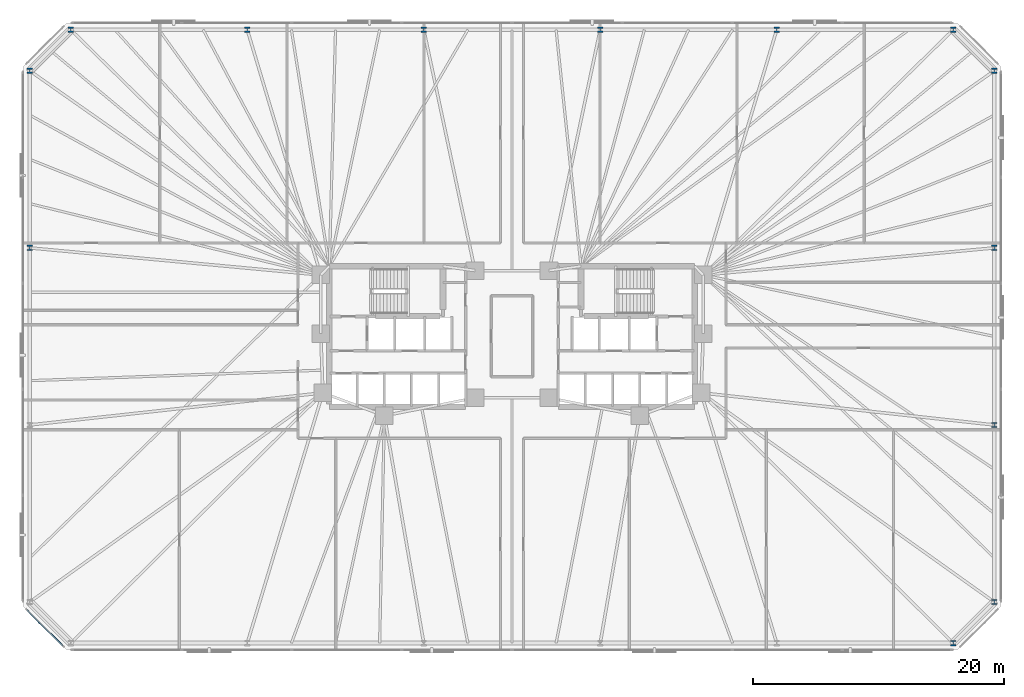
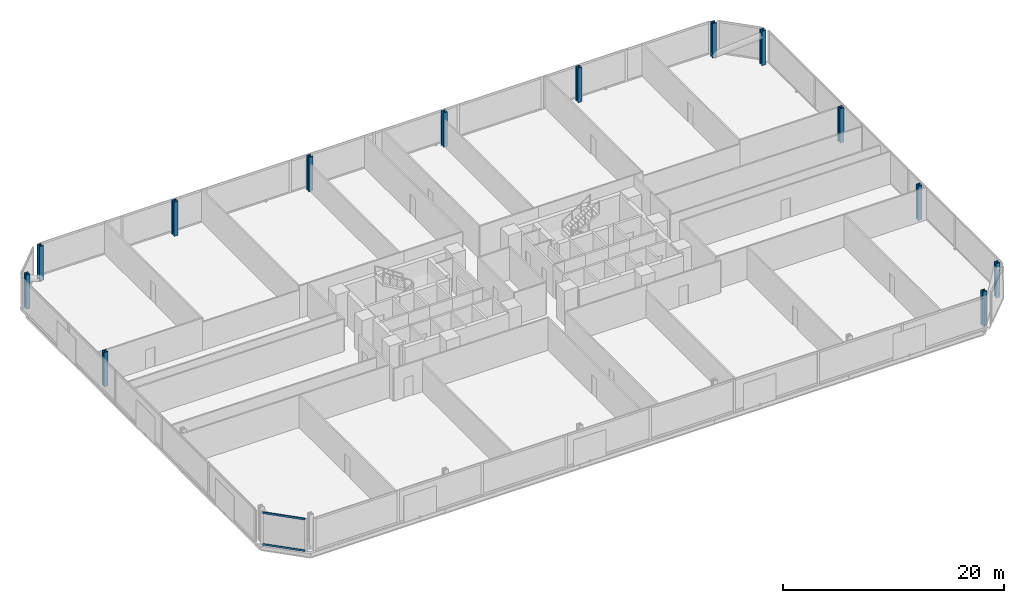
# One storey, part 5 of 17: 13 columns, 2 members, 1 element without a shape of its own.
"""IFC4 building model written with IfcOpenShell, lengths in metres."""

from ifc_helpers import new_model, si_unit, direction, frame, origin, origin_2d, place, context, subcontext, project, spatial, rectangle, i_section, extrude, material, material_profile, profile_set, type_object, element, aggregate, save


model = new_model("IFC4")

# Units and contexts
model_context = context("Model", 3, precision=1e-05, world=origin(), true_north=direction((0.0, 1.0)))
body_context = subcontext(model_context, "Body", "Model", "MODEL_VIEW")
ifc_project = project(units=[si_unit("LENGTHUNIT", "METRE"), si_unit("AREAUNIT", "SQUARE_METRE"), si_unit("VOLUMEUNIT", "CUBIC_METRE"), si_unit("PLANEANGLEUNIT", "RADIAN"), si_unit("MASSUNIT", "GRAM", prefix="KILO")], contexts=[model_context])

# Site, building, storey
site_placement = place(None, origin())
site = spatial("IfcSite", under=ifc_project, at=site_placement, CompositionType="ELEMENT")
building_placement = place(site_placement, origin())
building = spatial("IfcBuilding", under=site, at=building_placement, Name="Menara Jurai Vektor", CompositionType="ELEMENT")
storey_placement = place(building_placement, frame((0.0, 0.0, 25.60009765625)))
storey = spatial("IfcBuildingStorey", under=building, at=storey_placement, Name="L05", CompositionType="ELEMENT", Elevation=25.60009765625)

# Columns
ifc_material_1 = material(Name="Steel S460", Category="steel")
ifc_material_profile_1 = material_profile(ifc_material_1, i_section(OverallWidth=0.419921875, OverallDepth=0.430908203125, WebThickness=0.06494140625, FlangeThickness=0.10595703125, FilletRadius=0.014892578125, at=origin_2d()), Name="HD 400x900")
ifc_profile_set_1 = profile_set([ifc_material_profile_1], Name="Steel S460")
column_type = type_object("IfcColumnType", Name="STR-EXO-BLK1", PredefinedType="COLUMN", material=ifc_profile_set_1)
for number, where, z_axis, x_axis, name in (
    (1, (35.177734375, -24.449951171875, 0.0), (0.0, 0.0, 1.0), (1.0, 0.0, 0.0), "Exoskeleton Column BLK1-S6 L05"),
    (2, (38.449951171875, -21.177734375, 0.0), (0.0, 0.0, 1.0), (1.0, 0.0, 0.0), "Exoskeleton Column BLK1-E1 L05"),
    (3, (38.449951171875, -7.059326171875, 0.0), (0.0, 0.0, 1.0), (1.0, 0.0, 0.0), "Exoskeleton Column BLK1-E2 L05"),
    (4, (38.449951171875, 7.059326171875, 0.0), (0.0, 0.0, 1.0), (1.0, 0.0, 0.0), "Exoskeleton Column BLK1-E3 L05"),
    (5, (38.449951171875, 21.177734375, 0.0), (0.0, 0.0, 1.0), (1.0, 0.0, 0.0), "Exoskeleton Column BLK1-E4 L05"),
    (6, (35.177734375, 24.449951171875, 0.0), (0.0, 0.0, 1.0), (1.0, 0.0, 0.0), "Exoskeleton Column BLK1-N1 L05"),
    (7, (21.106689453125, 24.449951171875, 0.0), (0.0, 0.0, 1.0), (1.0, 0.0, 0.0), "Exoskeleton Column BLK1-N2 L05"),
    (8, (7.03564453125, 24.449951171875, 0.0), (0.0, 0.0, 1.0), (1.0, 0.0, 0.0), "Exoskeleton Column BLK1-N3 L05"),
    (9, (-7.03564453125, 24.449951171875, 0.0), (0.0, 0.0, 1.0), (1.0, 0.0, 0.0), "Exoskeleton Column BLK1-N4 L05"),
    (10, (-21.106689453125, 24.449951171875, 0.0), (0.0, 0.0, 1.0), (1.0, 0.0, 0.0), "Exoskeleton Column BLK1-N5 L05"),
    (11, (-35.177734375, 24.449951171875, 0.0), (0.0, 0.0, 1.0), (1.0, 0.0, 0.0), "Exoskeleton Column BLK1-N6 L05"),
    (12, (-38.449951171875, 21.177734375, 0.0), (0.0, 0.0, 1.0), (1.0, 0.0, 0.0), "Exoskeleton Column BLK1-W1 L05"),
    (13, (-38.449951171875, 7.059326171875, 0.0), (0.0, 0.0, 1.0), (1.0, 0.0, 0.0), "Exoskeleton Column BLK1-W2 L05"),
):
    element("IfcColumn", number, at=place(storey_placement, frame(where, z_axis=z_axis, x_axis=x_axis)), inside=storey, type_object=column_type, Name=name, PredefinedType="COLUMN", context=body_context, shape_type="SweptSolid", body=[
        extrude(i_section(OverallWidth=0.419921875, OverallDepth=0.430908203125, WebThickness=0.06494140625, FlangeThickness=0.10595703125, FilletRadius=0.014892578125, at=origin_2d()), origin(), (0.0, 0.0, 1.0), 3.7998046875),
    ])

# Curtain wall, members
ifc_material_2 = material(Name="Anodised Pale Aluminium & Low-E Double Glazing", Category="aluminium")
curtain_wall_type = type_object("IfcCurtainWallType", Name="CW-BLK1", PredefinedType="NOTDEFINED", material=ifc_material_2)
curtain_wall_placement = place(storey_placement, origin())
curtain_wall = element("IfcCurtainWall", 14, at=curtain_wall_placement, inside=storey, type_object=curtain_wall_type, Name="Unitised Curtain Wall L05 F08", PredefinedType="NOTDEFINED")
ifc_material_3 = material(Name="Anodised Pale Aluminium Transom", Category="aluminium")
ifc_material_profile_2 = material_profile(ifc_material_3, rectangle(XDim=0.094970703125, YDim=0.199951171875, at=origin_2d()), Name="ALU TRN 95x200")
ifc_profile_set_2 = profile_set([ifc_material_profile_2], Name="Anodised Pale Aluminium Transom")
member_type = type_object("IfcMemberType", Name="CW-BLK1-TRN", PredefinedType="USERDEFINED", material=ifc_profile_set_2)
member_1_placement = place(storey_placement, frame((-38.6640625, -21.8359375, 0.04736328125), z_axis=(0.707106781187, -0.707106781187, 0.0), x_axis=(0.707106781187, 0.707106781187, 0.0)))
member_1 = element("IfcMember", 15, at=member_1_placement, type_object=member_type, Name="CW-01 transom 1.1", ObjectType="TRANSOM", PredefinedType="USERDEFINED", context=body_context, shape_type="SweptSolid", body=[
    extrude(rectangle(XDim=0.094970703125, YDim=0.199951171875, at=origin_2d()), origin(), (0.0, 0.0, 1.0), 3.99951171875),
])
member_2_placement = place(storey_placement, frame((-38.6640625, -21.8359375, 3.52734375), z_axis=(0.707106781187, -0.707106781187, 0.0), x_axis=(0.707106781187, 0.707106781187, 0.0)))
member_2 = element("IfcMember", 16, at=member_2_placement, type_object=member_type, Name="CW-01 transom 1.2", ObjectType="TRANSOM", PredefinedType="USERDEFINED", context=body_context, shape_type="SweptSolid", body=[
    extrude(rectangle(XDim=0.094970703125, YDim=0.199951171875, at=origin_2d()), origin(), (0.0, 0.0, 1.0), 3.99951171875),
])
aggregate(curtain_wall, [member_1, member_2])

save(model, "model.ifc")
